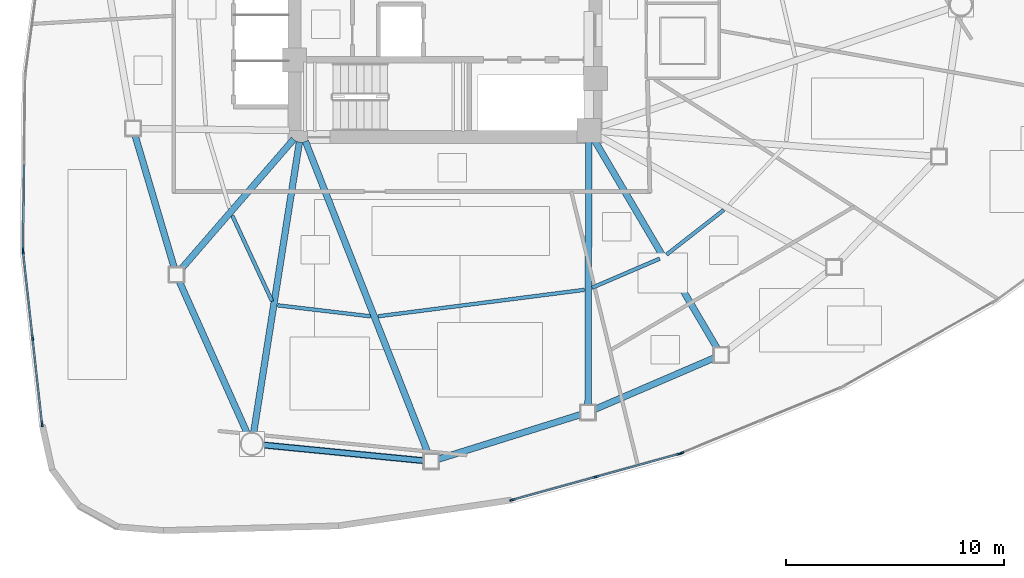
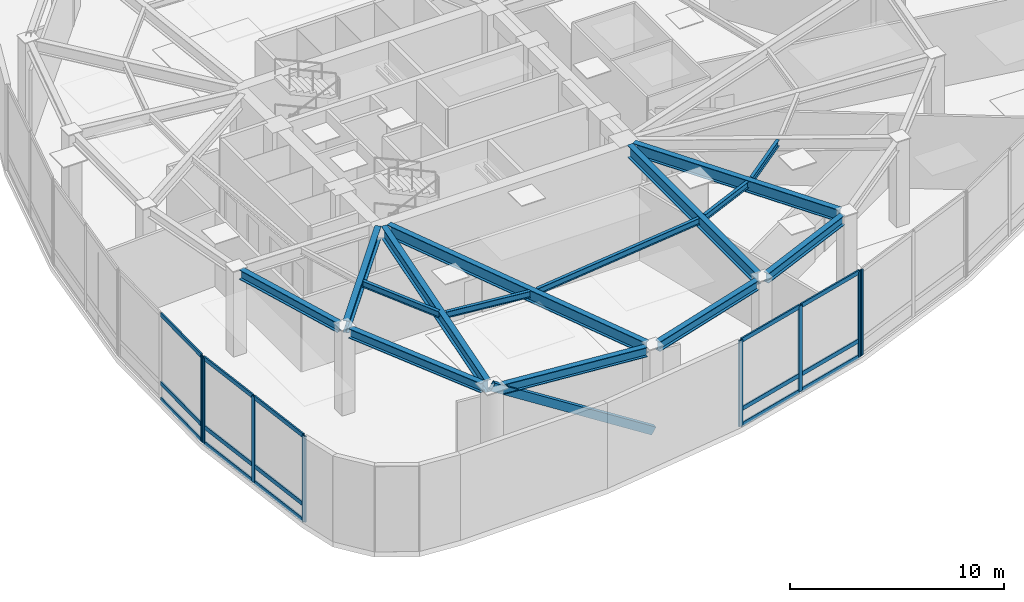
# One storey, part 2 of 14: 24 members, 15 beams, 4 elements without a shape of their own.
"""IFC4 building model written with IfcOpenShell, lengths in metres."""

from ifc_helpers import new_model, si_unit, direction, frame, origin, origin_2d, place, context, subcontext, project, spatial, hollow_rectangle, i_section, extrude, source, transform, mapped, material, layer, layer_set, material_profile, profile_set, type_object, type_shapes, element, aggregate, save


model = new_model("IFC4")

# Units and contexts
model_context = context("Model", 3, precision=1e-05, world=origin(), true_north=direction((0.0, 1.0)))
body_context = subcontext(model_context, "Body", "Model", "MODEL_VIEW")
ifc_project = project(units=[si_unit("LENGTHUNIT", "METRE"), si_unit("AREAUNIT", "SQUARE_METRE"), si_unit("VOLUMEUNIT", "CUBIC_METRE"), si_unit("PLANEANGLEUNIT", "RADIAN"), si_unit("MASSUNIT", "GRAM", prefix="KILO")], contexts=[model_context])

# Site, building, storey
site_placement = place(None, origin())
site = spatial("IfcSite", under=ifc_project, at=site_placement, CompositionType="ELEMENT")
building_placement = place(site_placement, origin())
building = spatial("IfcBuilding", under=site, at=building_placement, Name="Tavelor Broadcast Tower", CompositionType="ELEMENT")
storey_placement = place(building_placement, frame((0.0, 0.0, 110.39990234375)))
storey = spatial("IfcBuildingStorey", under=building, at=storey_placement, Name="L25", CompositionType="ELEMENT", Elevation=110.39990234375)

# Beams
ifc_material_1 = material(Name="Steel S355", Category="steel")
ifc_material_profile_1 = material_profile(ifc_material_1, i_section(OverallWidth=0.169921875, OverallDepth=0.360107421875, WebThickness=0.008056640625, FlangeThickness=0.0126953125, at=origin_2d()), Name="IPE 360")
ifc_profile_set_1 = profile_set([ifc_material_profile_1], Name="Steel S355")
beam_type_1 = type_object("IfcBeamType", Name="Composite Floor Joist T3 IPE 360", PredefinedType="JOIST", material=ifc_profile_set_1)
beam_1_placement = place(storey_placement, frame((40.237548828125, 34.901123046875, 4.72021484375), z_axis=(0.421480014114, -0.906837690936, 0.0), x_axis=(0.906837690936, 0.421480014114, 0.0)))
element("IfcBeam", 1, at=beam_1_placement, inside=storey, type_object=beam_type_1, Name="L25 Secondary Composite Floor Joist 06", PredefinedType="JOIST", context=body_context, shape_type="SweptSolid", body=[
    extrude(i_section(OverallWidth=0.169921875, OverallDepth=0.360107421875, WebThickness=0.008056640625, FlangeThickness=0.0126953125, at=origin_2d()), origin(), (0.0, 0.0, 1.0), 4.337890625),
])
beam_2_placement = place(storey_placement, frame((42.32177734375, 30.781982421875, 4.72021484375), z_axis=(0.993083165759, -0.117413056713, 0.0), x_axis=(0.117413056713, 0.993083165759, 0.0)))
element("IfcBeam", 2, at=beam_2_placement, inside=storey, type_object=beam_type_1, Name="L25 Secondary Composite Floor Joist 07", PredefinedType="JOIST", context=body_context, shape_type="SweptSolid", body=[
    extrude(i_section(OverallWidth=0.169921875, OverallDepth=0.360107421875, WebThickness=0.008056640625, FlangeThickness=0.0126953125, at=origin_2d()), origin(), (0.0, 0.0, 1.0), 4.285400390625),
])
beam_3_placement = place(storey_placement, frame((46.93701171875, 30.280517578125, 4.72021484375), z_axis=(0.991879926303, 0.12717787464, 0.0), x_axis=(-0.12717787464, 0.991879926303, 0.0)))
element("IfcBeam", 3, at=beam_3_placement, inside=storey, type_object=beam_type_1, Name="L25 Secondary Composite Floor Joist 08", PredefinedType="JOIST", context=body_context, shape_type="SweptSolid", body=[
    extrude(i_section(OverallWidth=0.169921875, OverallDepth=0.360107421875, WebThickness=0.008056640625, FlangeThickness=0.0126953125, at=origin_2d()), origin(), (0.0, 0.0, 1.0), 9.538818359375),
])
beam_4_placement = place(storey_placement, frame((56.744384765625, 31.588134765625, 4.72021484375), z_axis=(0.918816463589, 0.394685072225, 0.0), x_axis=(-0.394685072225, 0.918816463589, 0.0)))
element("IfcBeam", 4, at=beam_4_placement, inside=storey, type_object=beam_type_1, Name="L25 Secondary Composite Floor Joist 09", PredefinedType="JOIST", context=body_context, shape_type="SweptSolid", body=[
    extrude(i_section(OverallWidth=0.169921875, OverallDepth=0.360107421875, WebThickness=0.008056640625, FlangeThickness=0.0126953125, at=origin_2d()), origin(), (0.0, 0.0, 1.0), 3.385498046875),
])
beam_5_placement = place(storey_placement, frame((60.163818359375, 33.107177734375, 4.72021484375), z_axis=(0.788471752191, 0.615070968261, 0.0), x_axis=(-0.615070968261, 0.788471752191, 0.0)))
element("IfcBeam", 5, at=beam_5_placement, inside=storey, type_object=beam_type_1, Name="L25 Secondary Composite Floor Joist 10", PredefinedType="JOIST", context=body_context, shape_type="SweptSolid", body=[
    extrude(i_section(OverallWidth=0.169921875, OverallDepth=0.360107421875, WebThickness=0.008056640625, FlangeThickness=0.0126953125, at=origin_2d()), origin(), (0.0, 0.0, 1.0), 3.33251953125),
])
ifc_material_profile_2 = material_profile(ifc_material_1, i_section(OverallWidth=0.300048828125, OverallDepth=0.550048828125, WebThickness=0.014892578125, FlangeThickness=0.029052734375, at=origin_2d()), Name="HEB 550")
ifc_profile_set_2 = profile_set([ifc_material_profile_2], Name="Steel S355")
beam_type_2 = type_object("IfcBeamType", Name="Perimeter Spandrel Beam T3 HEB 550", PredefinedType="SPANDREL", material=ifc_profile_set_2)
beam_6_placement = place(storey_placement, frame((35.7763671875, 38.57763671875, 4.625), z_axis=(0.283996338182, -0.958825364652, 0.0), x_axis=(0.958825364652, 0.283996338182, 0.0)))
element("IfcBeam", 6, at=beam_6_placement, inside=storey, type_object=beam_type_2, Name="L25 Framed-Tube Ring Spandrel 05", PredefinedType="SPANDREL", context=body_context, shape_type="SweptSolid", body=[
    extrude(i_section(OverallWidth=0.300048828125, OverallDepth=0.550048828125, WebThickness=0.014892578125, FlangeThickness=0.029052734375, at=origin_2d()), origin(), (0.0, 0.0, 1.0), 6.325439453125),
])
beam_7_placement = place(storey_placement, frame((37.80517578125, 31.883544921875, 4.625), z_axis=(0.407977377403, -0.912992036946, 0.0), x_axis=(0.912992036946, 0.407977377403, 0.0)))
element("IfcBeam", 7, at=beam_7_placement, inside=storey, type_object=beam_type_2, Name="L25 Framed-Tube Ring Spandrel 06", PredefinedType="SPANDREL", context=body_context, shape_type="SweptSolid", body=[
    extrude(i_section(OverallWidth=0.300048828125, OverallDepth=0.550048828125, WebThickness=0.014892578125, FlangeThickness=0.029052734375, at=origin_2d()), origin(), (0.0, 0.0, 1.0), 7.658447265625),
])
beam_8_placement = place(storey_placement, frame((41.6484375, 24.373779296875, 4.625), z_axis=(0.995250868203, -0.097343255237, 0.0), x_axis=(0.097343255237, 0.995250868203, 0.0)))
element("IfcBeam", 8, at=beam_8_placement, inside=storey, type_object=beam_type_2, Name="L25 Framed-Tube Ring Spandrel 07", PredefinedType="SPANDREL", context=body_context, shape_type="SweptSolid", body=[
    extrude(i_section(OverallWidth=0.300048828125, OverallDepth=0.550048828125, WebThickness=0.014892578125, FlangeThickness=0.029052734375, at=origin_2d()), origin(), (0.0, 0.0, 1.0), 7.418701171875),
])
beam_9_placement = place(storey_placement, frame((49.68701171875, 23.719482421875, 4.625), z_axis=(0.954271632066, 0.29894088418, 0.0), x_axis=(-0.29894088418, 0.954271632066, 0.0)))
element("IfcBeam", 9, at=beam_9_placement, inside=storey, type_object=beam_type_2, Name="L25 Framed-Tube Ring Spandrel 08", PredefinedType="SPANDREL", context=body_context, shape_type="SweptSolid", body=[
    extrude(i_section(OverallWidth=0.300048828125, OverallDepth=0.550048828125, WebThickness=0.014892578125, FlangeThickness=0.029052734375, at=origin_2d()), origin(), (0.0, 0.0, 1.0), 6.867431640625),
])
beam_10_placement = place(storey_placement, frame((56.86962890625, 26.005615234375, 4.625), z_axis=(0.918448679011, 0.395540167396, 0.0), x_axis=(-0.395540167396, 0.918448679011, 0.0)))
element("IfcBeam", 10, at=beam_10_placement, inside=storey, type_object=beam_type_2, Name="L25 Framed-Tube Ring Spandrel 09", PredefinedType="SPANDREL", context=body_context, shape_type="SweptSolid", body=[
    extrude(i_section(OverallWidth=0.300048828125, OverallDepth=0.550048828125, WebThickness=0.014892578125, FlangeThickness=0.029052734375, at=origin_2d()), origin(), (0.0, 0.0, 1.0), 5.978515625),
])

# Member
ifc_material_profile_3 = material_profile(ifc_material_1, hollow_rectangle(XDim=0.25, YDim=0.449951171875, WallThickness=0.02001953125, at=origin_2d()), Name="RHS 450x250x20")
ifc_profile_set_3 = profile_set([ifc_material_profile_3], Name="Steel S355")
member_type_1 = type_object("IfcMemberType", Name="Perimeter Tube Brace T3 RHS 450x250x20", PredefinedType="BRACE", material=ifc_profile_set_3)
member_1_placement = place(storey_placement, frame((49.366455078125, 23.618896484375, 0.0), z_axis=(-0.856151910608, 0.083758133268, 0.509890655998), x_axis=(-0.097366094377, -0.995248634094, 0.0)))
element("IfcMember", 11, at=member_1_placement, inside=storey, type_object=member_type_1, Name="L25 Corner Tube Diagonal Brace 2", PredefinedType="BRACE", context=body_context, shape_type="SweptSolid", body=[
    extrude(hollow_rectangle(XDim=0.25, YDim=0.449951171875, WallThickness=0.02001953125, at=origin_2d()), origin(), (0.0, 0.0, 1.0), 9.610107421875),
])

# Beams
ifc_material_profile_4 = material_profile(ifc_material_1, i_section(OverallWidth=0.300048828125, OverallDepth=0.68994140625, WebThickness=0.014404296875, FlangeThickness=0.027099609375, at=origin_2d()), Name="HEA 700")
ifc_profile_set_4 = profile_set([ifc_material_profile_4], Name="Steel S355")
beam_type_3 = type_object("IfcBeamType", Name="Radial Floor Girder T3 HEA 700", PredefinedType="BEAM", material=ifc_profile_set_4)
beam_11_placement = place(storey_placement, frame((43.05419921875, 38.401123046875, 4.55517578125), z_axis=(-0.655166261537, -0.755484725024, 0.0), x_axis=(0.755484725024, -0.655166261537, 0.0)))
element("IfcBeam", 12, at=beam_11_placement, inside=storey, type_object=beam_type_3, Name="L25 Radial Primary Floor Girder 06", PredefinedType="BEAM", context=body_context, shape_type="SweptSolid", body=[
    extrude(i_section(OverallWidth=0.300048828125, OverallDepth=0.68994140625, WebThickness=0.014404296875, FlangeThickness=0.027099609375, at=origin_2d()), origin(), (0.0, 0.0, 1.0), 7.885009765625),
])
beam_12_placement = place(storey_placement, frame((43.318115234375, 38.2783203125, 4.55517578125), z_axis=(-0.1553975273, -0.987852017515, 0.0), x_axis=(0.987852017515, -0.1553975273, 0.0)))
element("IfcBeam", 13, at=beam_12_placement, inside=storey, type_object=beam_type_3, Name="L25 Radial Primary Floor Girder 07", PredefinedType="BEAM", context=body_context, shape_type="SweptSolid", body=[
    extrude(i_section(OverallWidth=0.300048828125, OverallDepth=0.68994140625, WebThickness=0.014404296875, FlangeThickness=0.027099609375, at=origin_2d()), origin(), (0.0, 0.0, 1.0), 13.5126953125),
])
beam_13_placement = place(storey_placement, frame((43.593017578125, 38.30859375, 4.55517578125), z_axis=(0.365795149989, -0.930695389612, 0.0), x_axis=(0.930695389612, 0.365795149989, 0.0)))
element("IfcBeam", 14, at=beam_13_placement, inside=storey, type_object=beam_type_3, Name="L25 Radial Primary Floor Girder 08", PredefinedType="BEAM", context=body_context, shape_type="SweptSolid", body=[
    extrude(i_section(OverallWidth=0.300048828125, OverallDepth=0.68994140625, WebThickness=0.014404296875, FlangeThickness=0.027099609375, at=origin_2d()), origin(), (0.0, 0.0, 1.0), 15.447509765625),
])
beam_14_placement = place(storey_placement, frame((56.598388671875, 38.27197265625, 4.55517578125), z_axis=(-0.003015509149, -0.999995453342, 0.0), x_axis=(0.999995453342, -0.003015509149, 0.0)))
element("IfcBeam", 15, at=beam_14_placement, inside=storey, type_object=beam_type_3, Name="L25 Radial Primary Floor Girder 09", PredefinedType="BEAM", context=body_context, shape_type="SweptSolid", body=[
    extrude(i_section(OverallWidth=0.300048828125, OverallDepth=0.68994140625, WebThickness=0.014404296875, FlangeThickness=0.027099609375, at=origin_2d()), origin(), (0.0, 0.0, 1.0), 12.063232421875),
])
beam_15_placement = place(storey_placement, frame((56.8681640625, 38.34521484375, 4.55517578125), z_axis=(0.507774310592, -0.861490133143, 0.0), x_axis=(0.861490133143, 0.507774310592, 0.0)))
element("IfcBeam", 16, at=beam_15_placement, inside=storey, type_object=beam_type_3, Name="L25 Radial Primary Floor Girder 10", PredefinedType="BEAM", context=body_context, shape_type="SweptSolid", body=[
    extrude(i_section(OverallWidth=0.300048828125, OverallDepth=0.68994140625, WebThickness=0.014404296875, FlangeThickness=0.027099609375, at=origin_2d()), origin(), (0.0, 0.0, 1.0), 11.08837890625),
])

# Curtain wall, member
ifc_material_2 = material(Name="Architectural Anodized Aluminium", Category="aluminium")
ifc_layer = layer(ifc_material_2, 0.239990234375)
ifc_layer_set = layer_set([ifc_layer], Name="Architectural Anodized Aluminium")
curtain_wall_type = type_object("IfcCurtainWallType", Name="Sky Lobby Feature Structural Curtain Wall CW05", PredefinedType="NOTDEFINED", material=ifc_layer_set)
curtain_wall_1_placement = place(storey_placement, origin())
curtain_wall_1 = element("IfcCurtainWall", 17, at=curtain_wall_1_placement, inside=storey, type_object=curtain_wall_type, Name="L25 Curtain Wall CW05 Run 243", PredefinedType="NOTDEFINED")
ifc_material_profile_5 = material_profile(ifc_material_2, hollow_rectangle(XDim=0.080078125, YDim=0.239990234375, WallThickness=0.02197265625, at=origin_2d()), Name="RHS 80x240x22")
ifc_profile_set_5 = profile_set([ifc_material_profile_5], Name="Architectural Anodized Aluminium")
member_type_2 = type_object("IfcMemberType", Name="CW05 Extruded Aluminium Mullion 80x240", PredefinedType="MULLION", material=ifc_profile_set_5)
shared_shape_1 = source(origin(), body_context, "Body", "SweptSolid", [
    extrude(hollow_rectangle(XDim=0.080078125, YDim=0.239990234375, WallThickness=0.02197265625, at=origin_2d()), origin(), (0.0, 0.0, 1.0), 4.900146484375),
])
type_shapes(member_type_2, [shared_shape_1])
member_2_placement = place(storey_placement, frame((30.6357421875, 33.32861328125, 0.0), z_axis=(0.0, 0.0, 1.0), x_axis=(0.999930808215, -0.011763451118, 0.0)))
member_2 = element("IfcMember", 18, at=member_2_placement, type_object=member_type_2, Name="CW05 mullion 3", PredefinedType="MULLION", context=body_context, shape_type="MappedRepresentation", body=[
    mapped(shared_shape_1, transform((0.0, 0.0, 0.0), scale=1.0)),
])

# Curtain wall, members
curtain_wall_2_placement = place(storey_placement, origin())
curtain_wall_2 = element("IfcCurtainWall", 19, at=curtain_wall_2_placement, inside=storey, type_object=curtain_wall_type, Name="L25 Curtain Wall CW05 Run 244", PredefinedType="NOTDEFINED")
member_3_placement = place(storey_placement, frame((30.64111328125, 33.218994140625, 0.0), z_axis=(0.0, 0.0, 1.0), x_axis=(0.994006076068, 0.10932484045, 0.0)))
member_3 = element("IfcMember", 20, at=member_3_placement, type_object=member_type_2, Name="CW05 mullion 1", PredefinedType="MULLION", context=body_context, shape_type="MappedRepresentation", body=[
    mapped(shared_shape_1, transform((0.0, 0.0, 0.0), scale=1.0)),
])
member_4_placement = place(storey_placement, frame((31.0751953125, 29.270751953125, 0.0), z_axis=(0.0, 0.0, 1.0), x_axis=(0.994006076068, 0.10932484045, 0.0)))
member_4 = element("IfcMember", 21, at=member_4_placement, type_object=member_type_2, Name="CW05 mullion 2", PredefinedType="MULLION", context=body_context, shape_type="MappedRepresentation", body=[
    mapped(shared_shape_1, transform((0.0, 0.0, 0.0), scale=1.0)),
])
member_5_placement = place(storey_placement, frame((31.509521484375, 25.32275390625, 0.0), z_axis=(0.0, 0.0, 1.0), x_axis=(0.994006076068, 0.10932484045, 0.0)))
member_5 = element("IfcMember", 22, at=member_5_placement, type_object=member_type_2, Name="CW05 mullion 3", PredefinedType="MULLION", context=body_context, shape_type="MappedRepresentation", body=[
    mapped(shared_shape_1, transform((0.0, 0.0, 0.0), scale=1.0)),
])

curtain_wall_3_placement = place(storey_placement, origin())
curtain_wall_3 = element("IfcCurtainWall", 23, at=curtain_wall_3_placement, inside=storey, type_object=curtain_wall_type, Name="L25 Curtain Wall CW05 Run 245", PredefinedType="NOTDEFINED")
member_6_placement = place(storey_placement, frame((53.087646484375, 21.851318359375, 0.0), z_axis=(0.0, 0.0, 1.0), x_axis=(-0.265968140661, 0.96398181941, 0.0)))
member_6 = element("IfcMember", 24, at=member_6_placement, type_object=member_type_2, Name="CW05 mullion 1", PredefinedType="MULLION", context=body_context, shape_type="MappedRepresentation", body=[
    mapped(shared_shape_1, transform((0.0, 0.0, 0.0), scale=1.0)),
])
member_7_placement = place(storey_placement, frame((56.916015625, 22.907470703125, 0.0), z_axis=(0.0, 0.0, 1.0), x_axis=(-0.265968140661, 0.96398181941, 0.0)))
member_7 = element("IfcMember", 25, at=member_7_placement, type_object=member_type_2, Name="CW05 mullion 2", PredefinedType="MULLION", context=body_context, shape_type="MappedRepresentation", body=[
    mapped(shared_shape_1, transform((0.0, 0.0, 0.0), scale=1.0)),
])
member_8_placement = place(storey_placement, frame((60.744140625, 23.9638671875, 0.0), z_axis=(0.0, 0.0, 1.0), x_axis=(-0.265968140661, 0.96398181941, 0.0)))
member_8 = element("IfcMember", 26, at=member_8_placement, type_object=member_type_2, Name="CW05 mullion 3", PredefinedType="MULLION", context=body_context, shape_type="MappedRepresentation", body=[
    mapped(shared_shape_1, transform((0.0, 0.0, 0.0), scale=1.0)),
])

# Curtain wall, member
curtain_wall_4_placement = place(storey_placement, origin())
curtain_wall_4 = element("IfcCurtainWall", 27, at=curtain_wall_4_placement, inside=storey, type_object=curtain_wall_type, Name="L25 Curtain Wall CW05 Run 246", PredefinedType="NOTDEFINED")
member_9_placement = place(storey_placement, frame((60.84814453125, 23.999267578125, 0.0), z_axis=(0.0, 0.0, 1.0), x_axis=(-0.380668782856, 0.924711456487, 0.0)))
member_9 = element("IfcMember", 28, at=member_9_placement, type_object=member_type_2, Name="CW05 mullion 1", PredefinedType="MULLION", context=body_context, shape_type="MappedRepresentation", body=[
    mapped(shared_shape_1, transform((0.0, 0.0, 0.0), scale=1.0)),
])
aggregate(curtain_wall_4, [member_9])

# Member
ifc_material_profile_6 = material_profile(ifc_material_2, hollow_rectangle(XDim=0.080078125, YDim=0.239990234375, WallThickness=0.02197265625, at=origin_2d()), Name="RHS 80x240x22")
ifc_profile_set_6 = profile_set([ifc_material_profile_6], Name="Architectural Anodized Aluminium")
member_type_3 = type_object("IfcMemberType", Name="CW05 Extruded Aluminium Transom 80x240", PredefinedType="USERDEFINED", material=ifc_profile_set_6)
shared_shape_2 = source(origin(), body_context, "Body", "SweptSolid", [
    extrude(hollow_rectangle(XDim=0.080078125, YDim=0.239990234375, WallThickness=0.02197265625, at=origin_2d()), origin(), (0.0, 0.0, 1.0), 3.891357421875),
])
member_10_placement = place(storey_placement, frame((53.126220703125, 21.86181640625, 0.0400390625), z_axis=(0.963970431225, 0.266009412847, 0.0), x_axis=(-0.266009412847, 0.963970431225, 0.0)))
member_10 = element("IfcMember", 29, at=member_10_placement, type_object=member_type_3, Name="CW05 transom 1.1", ObjectType="TRANSOM", PredefinedType="USERDEFINED", context=body_context, shape_type="MappedRepresentation", body=[
    mapped(shared_shape_2, transform((0.0, 0.0, 0.0), scale=1.0)),
])

member_11_placement = place(storey_placement, frame((53.126220703125, 21.86181640625, 0.9501953125), z_axis=(0.963970431225, 0.266009412847, 0.0), x_axis=(-0.266009412847, 0.963970431225, 0.0)))
member_11 = element("IfcMember", 30, at=member_11_placement, type_object=member_type_3, Name="CW05 transom 1.2", ObjectType="TRANSOM", PredefinedType="USERDEFINED", context=body_context, shape_type="MappedRepresentation", body=[
    mapped(shared_shape_2, transform((0.0, 0.0, 0.0), scale=1.0)),
])

member_12_placement = place(storey_placement, frame((53.126220703125, 21.86181640625, 4.860107421875), z_axis=(0.963970431225, 0.266009412847, 0.0), x_axis=(-0.266009412847, 0.963970431225, 0.0)))
member_12 = element("IfcMember", 31, at=member_12_placement, type_object=member_type_3, Name="CW05 transom 1.3", ObjectType="TRANSOM", PredefinedType="USERDEFINED", context=body_context, shape_type="MappedRepresentation", body=[
    mapped(shared_shape_2, transform((0.0, 0.0, 0.0), scale=1.0)),
])

member_13_placement = place(storey_placement, frame((56.954345703125, 22.918212890625, 0.0400390625), z_axis=(0.963986517353, 0.265951112728, 0.0), x_axis=(-0.265951112728, 0.963986517353, 0.0)))
member_13 = element("IfcMember", 32, at=member_13_placement, type_object=member_type_3, Name="CW05 transom 2.1", ObjectType="TRANSOM", PredefinedType="USERDEFINED", context=body_context, shape_type="MappedRepresentation", body=[
    mapped(shared_shape_2, transform((0.0, 0.0, 0.0), scale=1.0)),
])

member_14_placement = place(storey_placement, frame((56.954345703125, 22.918212890625, 0.9501953125), z_axis=(0.963986517353, 0.265951112728, 0.0), x_axis=(-0.265951112728, 0.963986517353, 0.0)))
member_14 = element("IfcMember", 33, at=member_14_placement, type_object=member_type_3, Name="CW05 transom 2.2", ObjectType="TRANSOM", PredefinedType="USERDEFINED", context=body_context, shape_type="MappedRepresentation", body=[
    mapped(shared_shape_2, transform((0.0, 0.0, 0.0), scale=1.0)),
])

member_15_placement = place(storey_placement, frame((56.954345703125, 22.918212890625, 4.860107421875), z_axis=(0.963986517353, 0.265951112728, 0.0), x_axis=(-0.265951112728, 0.963986517353, 0.0)))
member_15 = element("IfcMember", 34, at=member_15_placement, type_object=member_type_3, Name="CW05 transom 2.3", ObjectType="TRANSOM", PredefinedType="USERDEFINED", context=body_context, shape_type="MappedRepresentation", body=[
    mapped(shared_shape_2, transform((0.0, 0.0, 0.0), scale=1.0)),
])

aggregate(curtain_wall_3, [member_6, member_7, member_8, member_10, member_11, member_12, member_13, member_14, member_15])

shared_shape_3 = source(origin(), body_context, "Body", "SweptSolid", [
    extrude(hollow_rectangle(XDim=0.080078125, YDim=0.239990234375, WallThickness=0.02197265625, at=origin_2d()), origin(), (0.0, 0.0, 1.0), 3.884033203125),
])
member_16_placement = place(storey_placement, frame((30.681884765625, 37.25244140625, 0.0400390625), z_axis=(-0.01175427969, -0.999930916068, 0.0), x_axis=(0.999930916068, -0.01175427969, 0.0)))
member_16 = element("IfcMember", 35, at=member_16_placement, type_object=member_type_3, Name="CW05 transom 2.1", ObjectType="TRANSOM", PredefinedType="USERDEFINED", context=body_context, shape_type="MappedRepresentation", body=[
    mapped(shared_shape_3, transform((0.0, 0.0, 0.0), scale=1.0)),
])

member_17_placement = place(storey_placement, frame((30.681884765625, 37.25244140625, 0.9501953125), z_axis=(-0.01175427969, -0.999930916068, 0.0), x_axis=(0.999930916068, -0.01175427969, 0.0)))
member_17 = element("IfcMember", 36, at=member_17_placement, type_object=member_type_3, Name="CW05 transom 2.2", ObjectType="TRANSOM", PredefinedType="USERDEFINED", context=body_context, shape_type="MappedRepresentation", body=[
    mapped(shared_shape_3, transform((0.0, 0.0, 0.0), scale=1.0)),
])

member_18_placement = place(storey_placement, frame((30.681884765625, 37.25244140625, 4.860107421875), z_axis=(-0.01175427969, -0.999930916068, 0.0), x_axis=(0.999930916068, -0.01175427969, 0.0)))
member_18 = element("IfcMember", 37, at=member_18_placement, type_object=member_type_3, Name="CW05 transom 2.3", ObjectType="TRANSOM", PredefinedType="USERDEFINED", context=body_context, shape_type="MappedRepresentation", body=[
    mapped(shared_shape_3, transform((0.0, 0.0, 0.0), scale=1.0)),
])

aggregate(curtain_wall_1, [member_2, member_16, member_17, member_18])

shared_shape_4 = source(origin(), body_context, "Body", "SweptSolid", [
    extrude(hollow_rectangle(XDim=0.080078125, YDim=0.239990234375, WallThickness=0.02197265625, at=origin_2d()), origin(), (0.0, 0.0, 1.0), 3.89208984375),
])
type_shapes(member_type_3, [shared_shape_2, shared_shape_3, shared_shape_4])
member_19_placement = place(storey_placement, frame((30.6455078125, 33.17919921875, 0.0400390625), z_axis=(0.109336760405, -0.994004764991, 0.0), x_axis=(0.994004764991, 0.109336760405, 0.0)))
member_19 = element("IfcMember", 38, at=member_19_placement, type_object=member_type_3, Name="CW05 transom 1.1", ObjectType="TRANSOM", PredefinedType="USERDEFINED", context=body_context, shape_type="MappedRepresentation", body=[
    mapped(shared_shape_4, transform((0.0, 0.0, 0.0), scale=1.0)),
])

member_20_placement = place(storey_placement, frame((30.6455078125, 33.17919921875, 0.9501953125), z_axis=(0.109336760405, -0.994004764991, 0.0), x_axis=(0.994004764991, 0.109336760405, 0.0)))
member_20 = element("IfcMember", 39, at=member_20_placement, type_object=member_type_3, Name="CW05 transom 1.2", ObjectType="TRANSOM", PredefinedType="USERDEFINED", context=body_context, shape_type="MappedRepresentation", body=[
    mapped(shared_shape_4, transform((0.0, 0.0, 0.0), scale=1.0)),
])

member_21_placement = place(storey_placement, frame((30.6455078125, 33.17919921875, 4.860107421875), z_axis=(0.109336760405, -0.994004764991, 0.0), x_axis=(0.994004764991, 0.109336760405, 0.0)))
member_21 = element("IfcMember", 40, at=member_21_placement, type_object=member_type_3, Name="CW05 transom 1.3", ObjectType="TRANSOM", PredefinedType="USERDEFINED", context=body_context, shape_type="MappedRepresentation", body=[
    mapped(shared_shape_4, transform((0.0, 0.0, 0.0), scale=1.0)),
])

member_22_placement = place(storey_placement, frame((31.07958984375, 29.231201171875, 0.0400390625), z_axis=(0.109336760405, -0.994004764991, 0.0), x_axis=(0.994004764991, 0.109336760405, 0.0)))
member_22 = element("IfcMember", 41, at=member_22_placement, type_object=member_type_3, Name="CW05 transom 2.1", ObjectType="TRANSOM", PredefinedType="USERDEFINED", context=body_context, shape_type="MappedRepresentation", body=[
    mapped(shared_shape_4, transform((0.0, 0.0, 0.0), scale=1.0)),
])

member_23_placement = place(storey_placement, frame((31.07958984375, 29.231201171875, 0.9501953125), z_axis=(0.109336760405, -0.994004764991, 0.0), x_axis=(0.994004764991, 0.109336760405, 0.0)))
member_23 = element("IfcMember", 42, at=member_23_placement, type_object=member_type_3, Name="CW05 transom 2.2", ObjectType="TRANSOM", PredefinedType="USERDEFINED", context=body_context, shape_type="MappedRepresentation", body=[
    mapped(shared_shape_4, transform((0.0, 0.0, 0.0), scale=1.0)),
])

member_24_placement = place(storey_placement, frame((31.07958984375, 29.231201171875, 4.860107421875), z_axis=(0.109336760405, -0.994004764991, 0.0), x_axis=(0.994004764991, 0.109336760405, 0.0)))
member_24 = element("IfcMember", 43, at=member_24_placement, type_object=member_type_3, Name="CW05 transom 2.3", ObjectType="TRANSOM", PredefinedType="USERDEFINED", context=body_context, shape_type="MappedRepresentation", body=[
    mapped(shared_shape_4, transform((0.0, 0.0, 0.0), scale=1.0)),
])

aggregate(curtain_wall_2, [member_3, member_4, member_5, member_19, member_20, member_21, member_22, member_23, member_24])

save(model, "model.ifc")
